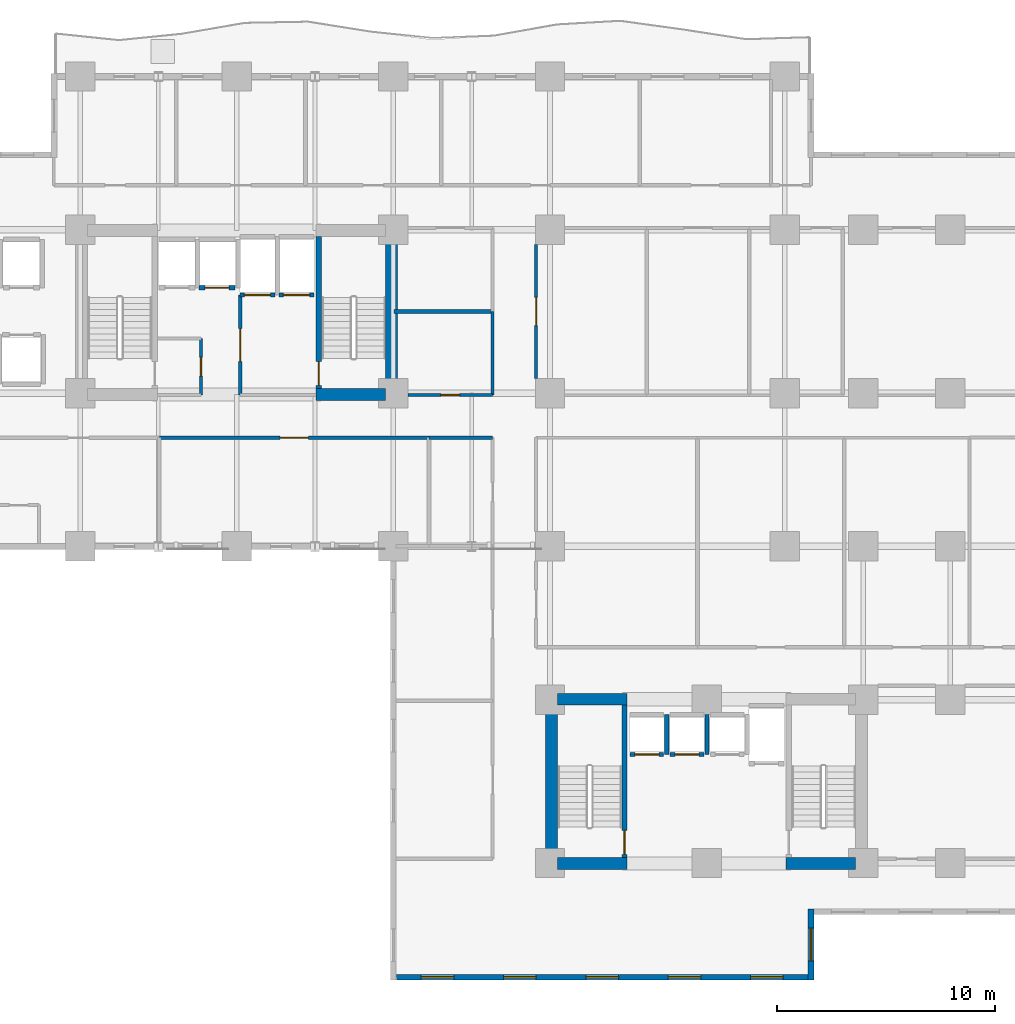
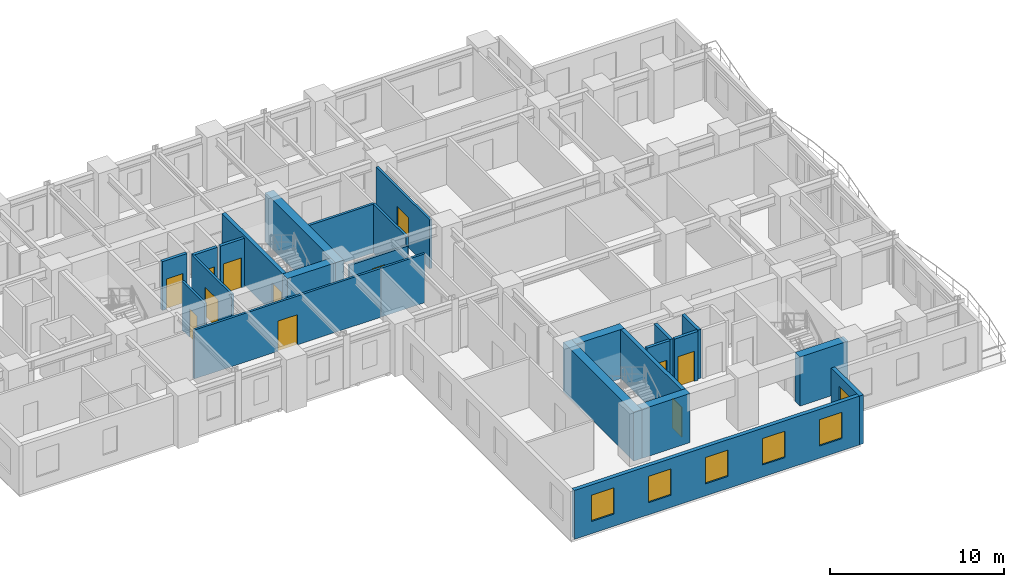
# One storey, part 4 of 11: 25 walls, 12 doors, 6 windows, 18 openings.
"""IFC4 building model written with IfcOpenShell, lengths in metres."""

from ifc_helpers import new_model, si_unit, direction, frame, frame_2d, origin, place, context, subcontext, project, spatial, rectangle, extrude, material, layer, layer_set, type_object, element, fill, save


model = new_model("IFC4")

# Units and contexts
model_context = context("Model", 3, precision=1e-05, world=origin(), true_north=direction((0.0, 1.0)))
body_context = subcontext(model_context, "Body", "Model", "MODEL_VIEW")
ifc_project = project(units=[si_unit("LENGTHUNIT", "METRE"), si_unit("AREAUNIT", "SQUARE_METRE"), si_unit("VOLUMEUNIT", "CUBIC_METRE"), si_unit("PLANEANGLEUNIT", "RADIAN"), si_unit("MASSUNIT", "GRAM", prefix="KILO")], contexts=[model_context])

# Site, building, storey
site_placement = place(None, origin())
site = spatial("IfcSite", under=ifc_project, at=site_placement, CompositionType="ELEMENT")
building_placement = place(site_placement, origin())
building = spatial("IfcBuilding", under=site, at=building_placement, Name="Kaliganga Portal Commons", CompositionType="ELEMENT")
storey_placement = place(building_placement, frame((0.0, 0.0, 51.199951171875)))
storey = spatial("IfcBuildingStorey", under=building, at=storey_placement, Name="L12", CompositionType="ELEMENT", Elevation=51.199951171875)

# Walls
ifc_material_1 = material(Name="Concrete C60/75", Category="concrete")
ifc_layer_1 = layer(ifc_material_1, 0.550048828125)
ifc_layer_set_1 = layer_set([ifc_layer_1], Name="Concrete C60/75")
wall_type_1 = type_object("IfcWallType", Name="WL-CORE-550", PredefinedType="SHEAR", material=ifc_layer_set_1)
wall_1_placement = place(storey_placement, frame((28.72509765625, 28.300048828125, 0.0), z_axis=(0.0, 0.0, 1.0), x_axis=(0.0, 1.0, 0.0)))
element("IfcWall", 1, at=wall_1_placement, inside=storey, type_object=wall_type_1, Name="Core A East Shear Wall L12", PredefinedType="SHEAR", context=body_context, shape_type="SweptSolid", body=[
    extrude(rectangle(XDim=8.099853515625, YDim=0.550048828125, at=frame_2d((4.0498046875, 0.0))), origin(), (0.0, 0.0, 1.0), 3.449951171875),
])
wall_2_placement = place(storey_placement, frame((25.25, 28.574951171875, 0.0), z_axis=(0.0, 0.0, 1.0), x_axis=(1.0, 0.0, 0.0)))
element("IfcWall", 2, at=wall_2_placement, inside=storey, type_object=wall_type_1, Name="Core A S-East Shear Wall L12", PredefinedType="SHEAR", context=body_context, shape_type="SweptSolid", body=[
    extrude(rectangle(XDim=3.199951171875, YDim=0.550048828125, at=frame_2d((1.60009765625, 0.0))), origin(), (0.0, 0.0, 1.0), 3.449951171875),
])
wall_3_placement = place(storey_placement, frame((36.074951171875, 6.75, 0.0), z_axis=(0.0, 0.0, 1.0), x_axis=(0.0, 1.0, 0.0)))
element("IfcWall", 3, at=wall_3_placement, inside=storey, type_object=wall_type_1, Name="Core B West Shear Wall L12", PredefinedType="SHEAR", context=body_context, shape_type="SweptSolid", body=[
    extrude(rectangle(XDim=8.10009765625, YDim=0.550048828125, at=frame_2d((4.050048828125, 0.0))), origin(), (0.0, 0.0, 1.0), 3.449951171875),
])
for number, where, z_axis, x_axis, name in (
    (4, (36.35009765625, 7.02490234375, 0.0), (0.0, 0.0, 1.0), (1.0, 0.0, 0.0), "Core B S-West Shear Wall L12"),
    (5, (46.85009765625, 7.02490234375, 0.0), (0.0, 0.0, 1.0), (1.0, 0.0, 0.0), "Core B S-East Shear Wall L12"),
    (6, (36.35009765625, 14.574951171875, 0.0), (0.0, 0.0, 1.0), (1.0, 0.0, 0.0), "Core B N-West Shear Wall L12"),
):
    element("IfcWall", number, at=place(storey_placement, frame(where, z_axis=z_axis, x_axis=x_axis)), inside=storey, type_object=wall_type_1, Name=name, PredefinedType="SHEAR", context=body_context, shape_type="SweptSolid", body=[
        extrude(rectangle(XDim=3.199951171875, YDim=0.550048828125, at=frame_2d((1.60009765625, 0.0))), origin(), (0.0, 0.0, 1.0), 3.449951171875),
    ])

# Wall, openings, windows
ifc_material_2 = material(Name="Insulated Aluminium-Clad Spandrel Assembly", Category="aluminium")
ifc_layer_2 = layer(ifc_material_2, 0.260009765625)
ifc_layer_set_2 = layer_set([ifc_layer_2], Name="Insulated Aluminium-Clad Spandrel Assembly")
wall_type_2 = type_object("IfcWallType", Name="WL-EXT-SPAND-260", PredefinedType="STANDARD", material=ifc_layer_set_2)
wall_4_placement = place(storey_placement, frame((47.864990234375, 1.800048828125, 0.0), z_axis=(0.0, 0.0, 1.0), x_axis=(-1.0, 0.0, 0.0)))
wall_4 = element("IfcWall", 7, at=wall_4_placement, inside=storey, type_object=wall_type_2, Name="Exterior Envelope Wall L12 P1-E00-S1", PredefinedType="STANDARD", context=body_context, shape_type="SweptSolid", body=[
    extrude(rectangle(XDim=18.929931640625, YDim=0.260009765625, at=frame_2d((9.46484375, 0.0))), origin(), (0.0, 0.0, 1.0), 3.429931640625),
])
opening_1_placement = place(wall_4_placement, frame((1.14306640625, 0.0, 0.85009765625)))
opening_1 = element("IfcOpeningElement", 8, at=opening_1_placement, cuts=wall_4, Name="Opening W-02", PredefinedType="OPENING", context=body_context, shape_type="SweptSolid", body=[
    extrude(rectangle(XDim=1.5, YDim=1.85009765625, at=frame_2d((0.75, 0.925048828125))), frame((0.0, 0.14013671875, 0.0), z_axis=(0.0, -1.0, 0.0), x_axis=(1.0, 0.0, 0.0)), (0.0, 0.0, 1.0), 0.280029296875),
])
opening_2_placement = place(wall_4_placement, frame((4.928955078125, 0.0, 0.85009765625)))
opening_2 = element("IfcOpeningElement", 9, at=opening_2_placement, cuts=wall_4, Name="Opening W-02", PredefinedType="OPENING", context=body_context, shape_type="SweptSolid", body=[
    extrude(rectangle(XDim=1.5, YDim=1.85009765625, at=frame_2d((0.75, 0.925048828125))), frame((0.0, 0.14013671875, 0.0), z_axis=(0.0, -1.0, 0.0), x_axis=(1.0, 0.0, 0.0)), (0.0, 0.0, 1.0), 0.280029296875),
])
opening_3_placement = place(wall_4_placement, frame((8.715087890625, 0.0, 0.85009765625)))
opening_3 = element("IfcOpeningElement", 10, at=opening_3_placement, cuts=wall_4, Name="Opening W-02", PredefinedType="OPENING", context=body_context, shape_type="SweptSolid", body=[
    extrude(rectangle(XDim=1.5, YDim=1.85009765625, at=frame_2d((0.75, 0.925048828125))), frame((0.0, 0.14013671875, 0.0), z_axis=(0.0, -1.0, 0.0), x_axis=(1.0, 0.0, 0.0)), (0.0, 0.0, 1.0), 0.280029296875),
])
opening_4_placement = place(wall_4_placement, frame((12.5009765625, 0.0, 0.85009765625)))
opening_4 = element("IfcOpeningElement", 11, at=opening_4_placement, cuts=wall_4, Name="Opening W-02", PredefinedType="OPENING", context=body_context, shape_type="SweptSolid", body=[
    extrude(rectangle(XDim=1.5, YDim=1.85009765625, at=frame_2d((0.75, 0.925048828125))), frame((0.0, 0.14013671875, 0.0), z_axis=(0.0, -1.0, 0.0), x_axis=(1.0, 0.0, 0.0)), (0.0, 0.0, 1.0), 0.280029296875),
])
opening_5_placement = place(wall_4_placement, frame((16.287109375, 0.0, 0.85009765625)))
opening_5 = element("IfcOpeningElement", 12, at=opening_5_placement, cuts=wall_4, Name="Opening W-02", PredefinedType="OPENING", context=body_context, shape_type="SweptSolid", body=[
    extrude(rectangle(XDim=1.5, YDim=1.85009765625, at=frame_2d((0.75, 0.925048828125))), frame((0.0, 0.14013671875, 0.0), z_axis=(0.0, -1.0, 0.0), x_axis=(1.0, 0.0, 0.0)), (0.0, 0.0, 1.0), 0.280029296875),
])
ifc_material_3 = material(Name="Thermally Broken Aluminium and Low-E Double Glazing", Category="aluminium")
window_type = type_object("IfcWindowType", Name="WIN-STD-1500", PartitioningType="DOUBLE_PANEL_VERTICAL", PredefinedType="WINDOW", material=ifc_material_3)
window_1_placement = place(opening_1_placement, origin())
window_1 = element("IfcWindow", 13, at=window_1_placement, inside=storey, type_object=window_type, Name="Facade Window L12-P1E00S1-00", OverallHeight=1.85009765625, OverallWidth=1.5, PartitioningType="SINGLE_PANEL", PredefinedType="WINDOW", context=body_context, shape_type="SweptSolid", body=[
    extrude(rectangle(XDim=1.5, YDim=1.85009765625, at=frame_2d((0.75, 0.925048828125))), frame((0.0, 0.030029296875, 0.0), z_axis=(0.0, -1.0, 0.0), x_axis=(1.0, 0.0, 0.0)), (0.0, 0.0, 1.0), 0.06005859375),
])
fill(opening_1, window_1)
window_2_placement = place(opening_2_placement, origin())
window_2 = element("IfcWindow", 14, at=window_2_placement, inside=storey, type_object=window_type, Name="Facade Window L12-P1E00S1-01", OverallHeight=1.85009765625, OverallWidth=1.5, PartitioningType="SINGLE_PANEL", PredefinedType="WINDOW", context=body_context, shape_type="SweptSolid", body=[
    extrude(rectangle(XDim=1.5, YDim=1.85009765625, at=frame_2d((0.75, 0.925048828125))), frame((0.0, 0.030029296875, 0.0), z_axis=(0.0, -1.0, 0.0), x_axis=(1.0, 0.0, 0.0)), (0.0, 0.0, 1.0), 0.06005859375),
])
fill(opening_2, window_2)
window_3_placement = place(opening_3_placement, origin())
window_3 = element("IfcWindow", 15, at=window_3_placement, inside=storey, type_object=window_type, Name="Facade Window L12-P1E00S1-02", OverallHeight=1.85009765625, OverallWidth=1.5, PartitioningType="SINGLE_PANEL", PredefinedType="WINDOW", context=body_context, shape_type="SweptSolid", body=[
    extrude(rectangle(XDim=1.5, YDim=1.85009765625, at=frame_2d((0.75, 0.925048828125))), frame((0.0, 0.030029296875, 0.0), z_axis=(0.0, -1.0, 0.0), x_axis=(1.0, 0.0, 0.0)), (0.0, 0.0, 1.0), 0.06005859375),
])
fill(opening_3, window_3)
window_4_placement = place(opening_4_placement, origin())
window_4 = element("IfcWindow", 16, at=window_4_placement, inside=storey, type_object=window_type, Name="Facade Window L12-P1E00S1-03", OverallHeight=1.85009765625, OverallWidth=1.5, PartitioningType="SINGLE_PANEL", PredefinedType="WINDOW", context=body_context, shape_type="SweptSolid", body=[
    extrude(rectangle(XDim=1.5, YDim=1.85009765625, at=frame_2d((0.75, 0.925048828125))), frame((0.0, 0.030029296875, 0.0), z_axis=(0.0, -1.0, 0.0), x_axis=(1.0, 0.0, 0.0)), (0.0, 0.0, 1.0), 0.06005859375),
])
fill(opening_4, window_4)
window_5_placement = place(opening_5_placement, origin())
window_5 = element("IfcWindow", 17, at=window_5_placement, inside=storey, type_object=window_type, Name="Facade Window L12-P1E00S1-04", OverallHeight=1.85009765625, OverallWidth=1.5, PartitioningType="SINGLE_PANEL", PredefinedType="WINDOW", context=body_context, shape_type="SweptSolid", body=[
    extrude(rectangle(XDim=1.5, YDim=1.85009765625, at=frame_2d((0.75, 0.925048828125))), frame((0.0, 0.030029296875, 0.0), z_axis=(0.0, -1.0, 0.0), x_axis=(1.0, 0.0, 0.0)), (0.0, 0.0, 1.0), 0.06005859375),
])
fill(opening_5, window_5)

# Wall, opening, window
wall_5_placement = place(storey_placement, frame((48.0, 4.929931640625, 0.0), z_axis=(0.0, 0.0, 1.0), x_axis=(0.0, -1.0, 0.0)))
wall_5 = element("IfcWall", 18, at=wall_5_placement, inside=storey, type_object=wall_type_2, Name="Exterior Envelope Wall L12 P1-E01-S1", PredefinedType="STANDARD", context=body_context, shape_type="SweptSolid", body=[
    extrude(rectangle(XDim=3.260009765625, YDim=0.260009765625, at=frame_2d((1.6298828125, 0.0))), origin(), (0.0, 0.0, 1.0), 3.429931640625),
])
opening_6_placement = place(wall_5_placement, frame((0.8798828125, 0.0, 0.85009765625)))
opening_6 = element("IfcOpeningElement", 19, at=opening_6_placement, cuts=wall_5, Name="Opening W-02", PredefinedType="OPENING", context=body_context, shape_type="SweptSolid", body=[
    extrude(rectangle(XDim=1.5, YDim=1.85009765625, at=frame_2d((0.75, 0.925048828125))), frame((0.0, 0.14013671875, 0.0), z_axis=(0.0, -1.0, 0.0), x_axis=(1.0, 0.0, 0.0)), (0.0, 0.0, 1.0), 0.280029296875),
])
window_6_placement = place(opening_6_placement, origin())
window_6 = element("IfcWindow", 20, at=window_6_placement, inside=storey, type_object=window_type, Name="Facade Window L12-P1E01S1-00", OverallHeight=1.85009765625, OverallWidth=1.5, PartitioningType="SINGLE_PANEL", PredefinedType="WINDOW", context=body_context, shape_type="SweptSolid", body=[
    extrude(rectangle(XDim=1.5, YDim=1.85009765625, at=frame_2d((0.75, 0.925048828125))), frame((0.0, 0.030029296875, 0.0), z_axis=(0.0, -1.0, 0.0), x_axis=(1.0, 0.0, 0.0)), (0.0, 0.0, 1.0), 0.06005859375),
])
fill(opening_6, window_6)

# Wall, opening, door
ifc_material_4 = material(Name="Fire-Rated Gypsum Board on Steel Stud", Category="steel")
ifc_layer_3 = layer(ifc_material_4, 0.14990234375)
ifc_layer_set_3 = layer_set([ifc_layer_3], Name="Fire-Rated Gypsum Board on Steel Stud")
wall_type_3 = type_object("IfcWallType", Name="WL-PART-CORR-150", PredefinedType="PARTITIONING", material=ifc_layer_set_3)
wall_6_placement = place(storey_placement, frame((18.0400390625, 26.60009765625, 0.0), z_axis=(0.0, 0.0, 1.0), x_axis=(1.0, 0.0, 0.0)))
wall_6 = element("IfcWall", 21, at=wall_6_placement, inside=storey, type_object=wall_type_3, Name="Interior Partition L12-006", PredefinedType="PARTITIONING", context=body_context, shape_type="SweptSolid", body=[
    extrude(rectangle(XDim=12.39990234375, YDim=0.14990234375, at=frame_2d((6.199951171875, 0.0))), origin(), (0.0, 0.0, 1.0), 3.429931640625),
])
opening_7_placement = place(wall_6_placement, frame((5.550048828125, 0.0, 0.0)))
opening_7 = element("IfcOpeningElement", 22, at=opening_7_placement, cuts=wall_6, Name="Opening RD-03", PredefinedType="OPENING", context=body_context, shape_type="SweptSolid", body=[
    extrude(rectangle(XDim=1.300048828125, YDim=2.1201171875, at=frame_2d((0.64990234375, 1.06005859375))), frame((0.0, 0.0849609375, 0.0), z_axis=(0.0, -1.0, 0.0), x_axis=(1.0, 0.0, 0.0)), (0.0, 0.0, 1.0), 0.169921875),
])
ifc_material_5 = material(Name="Glazed Timber Seminar Vision Door", Category="wood")
door_type_1 = type_object("IfcDoorType", Name="DR-STUDY-1300", OperationType="DOUBLE_DOOR_SINGLE_SWING", PredefinedType="DOOR", material=ifc_material_5)
door_1_placement = place(opening_7_placement, origin())
door_1 = element("IfcDoor", 23, at=door_1_placement, inside=storey, type_object=door_type_1, Name="Interior Door L12-AS03", OperationType="DOUBLE_DOOR_SINGLE_SWING", OverallHeight=2.1201171875, OverallWidth=1.300048828125, PredefinedType="DOOR", context=body_context, shape_type="SweptSolid", body=[
    extrude(rectangle(XDim=1.300048828125, YDim=2.1201171875, at=frame_2d((0.64990234375, 1.06005859375))), frame((0.0, 0.02490234375, 0.0), z_axis=(0.0, -1.0, 0.0), x_axis=(1.0, 0.0, 0.0)), (0.0, 0.0, 1.0), 0.050048828125),
])
fill(opening_7, door_1)

wall_7_placement = place(storey_placement, frame((35.360107421875, 29.324951171875, 0.0), z_axis=(0.0, 0.0, 1.0), x_axis=(0.0, 1.0, 0.0)))
wall_7 = element("IfcWall", 24, at=wall_7_placement, inside=storey, type_object=wall_type_3, Name="Interior Partition L12-012", PredefinedType="PARTITIONING", context=body_context, shape_type="SweptSolid", body=[
    extrude(rectangle(XDim=6.150146484375, YDim=0.14990234375, at=frame_2d((3.0751953125, 0.0))), origin(), (0.0, 0.0, 1.0), 3.429931640625),
])
opening_8_placement = place(wall_7_placement, frame((2.425048828125, 0.0, 0.0)))
opening_8 = element("IfcOpeningElement", 25, at=opening_8_placement, cuts=wall_7, Name="Opening RD-03", PredefinedType="OPENING", context=body_context, shape_type="SweptSolid", body=[
    extrude(rectangle(XDim=1.300048828125, YDim=2.1201171875, at=frame_2d((0.64990234375, 1.06005859375))), frame((0.0, 0.0849609375, 0.0), z_axis=(0.0, -1.0, 0.0), x_axis=(1.0, 0.0, 0.0)), (0.0, 0.0, 1.0), 0.169921875),
])
door_2_placement = place(opening_8_placement, origin())
door_2 = element("IfcDoor", 26, at=door_2_placement, inside=storey, type_object=door_type_1, Name="Interior Door L12-BK01", OperationType="DOUBLE_DOOR_SINGLE_SWING", OverallHeight=2.1201171875, OverallWidth=1.300048828125, PredefinedType="DOOR", context=body_context, shape_type="SweptSolid", body=[
    extrude(rectangle(XDim=1.300048828125, YDim=2.1201171875, at=frame_2d((0.64990234375, 1.06005859375))), frame((0.0, 0.02490234375, 0.0), z_axis=(0.0, -1.0, 0.0), x_axis=(1.0, 0.0, 0.0)), (0.0, 0.0, 1.0), 0.050048828125),
])
fill(opening_8, door_2)

wall_8_placement = place(storey_placement, frame((29.47509765625, 28.56005859375, 0.0), z_axis=(0.0, 0.0, 1.0), x_axis=(1.0, 0.0, 0.0)))
wall_8 = element("IfcWall", 27, at=wall_8_placement, inside=storey, type_object=wall_type_3, Name="Interior Partition L12-034", PredefinedType="PARTITIONING", context=body_context, shape_type="SweptSolid", body=[
    extrude(rectangle(XDim=3.885009765625, YDim=0.14990234375, at=frame_2d((1.9423828125, 0.0))), origin(), (0.0, 0.0, 1.0), 2.780029296875),
])
opening_9_placement = place(wall_8_placement, frame((1.512451171875, 0.0, 0.0)))
opening_9 = element("IfcOpeningElement", 28, at=opening_9_placement, cuts=wall_8, Name="Opening WD-02", PredefinedType="OPENING", context=body_context, shape_type="SweptSolid", body=[
    extrude(rectangle(XDim=0.860107421875, YDim=2.02001953125, at=frame_2d((0.43017578125, 1.010009765625))), frame((0.0, 0.0849609375, 0.0), z_axis=(0.0, -1.0, 0.0), x_axis=(1.0, 0.0, 0.0)), (0.0, 0.0, 1.0), 0.169921875),
])
ifc_material_6 = material(Name="Fire-Rated Utility Closet Door", Category="wood")
door_type_2 = type_object("IfcDoorType", Name="DR-STORE-800", OperationType="NOTDEFINED", PredefinedType="DOOR", material=ifc_material_6)
door_3_placement = place(opening_9_placement, origin())
door_3 = element("IfcDoor", 29, at=door_3_placement, inside=storey, type_object=door_type_2, Name="Interior Door L12-CSRV_A1", OperationType="SINGLE_SWING_LEFT", OverallHeight=2.02001953125, OverallWidth=0.860107421875, PredefinedType="DOOR", context=body_context, shape_type="SweptSolid", body=[
    extrude(rectangle(XDim=0.860107421875, YDim=2.02001953125, at=frame_2d((0.43017578125, 1.010009765625))), frame((0.0, 0.02490234375, 0.0), z_axis=(0.0, -1.0, 0.0), x_axis=(1.0, 0.0, 0.0)), (0.0, 0.0, 1.0), 0.050048828125),
])
fill(opening_9, door_3)

# Walls
wall_9_placement = place(storey_placement, frame((33.360107421875, 28.56005859375, 0.0), z_axis=(0.0, 0.0, 1.0), x_axis=(0.0, 1.0, 0.0)))
element("IfcWall", 30, at=wall_9_placement, inside=storey, type_object=wall_type_3, Name="Interior Partition L12-041", PredefinedType="PARTITIONING", context=body_context, shape_type="SweptSolid", body=[
    extrude(rectangle(XDim=3.83984375, YDim=0.14990234375, at=frame_2d((1.919921875, 0.0))), origin(), (0.0, 0.0, 1.0), 3.429931640625),
])
wall_10_placement = place(storey_placement, frame((30.43994140625, 26.60009765625, 0.0), z_axis=(0.0, 0.0, 1.0), x_axis=(1.0, 0.0, 0.0)))
element("IfcWall", 31, at=wall_10_placement, inside=storey, type_object=wall_type_3, Name="Interior Partition L12-042", PredefinedType="PARTITIONING", context=body_context, shape_type="SweptSolid", body=[
    extrude(rectangle(XDim=2.920166015625, YDim=0.14990234375, at=frame_2d((1.4599609375, 0.0))), origin(), (0.0, 0.0, 1.0), 3.429931640625),
])

# Wall, opening, door
wall_11_placement = place(storey_placement, frame((19.9599609375, 28.56005859375, 0.0), z_axis=(0.0, 0.0, 1.0), x_axis=(0.0, 1.0, 0.0)))
wall_11 = element("IfcWall", 32, at=wall_11_placement, inside=storey, type_object=wall_type_3, Name="Interior Partition L12-043", PredefinedType="PARTITIONING", context=body_context, shape_type="SweptSolid", body=[
    extrude(rectangle(XDim=2.599853515625, YDim=0.14990234375, at=frame_2d((1.2998046875, 0.0))), origin(), (0.0, 0.0, 1.0), 3.429931640625),
])
opening_10_placement = place(wall_11_placement, frame((0.8701171875, 0.0, 0.0)))
opening_10 = element("IfcOpeningElement", 33, at=opening_10_placement, cuts=wall_11, Name="Opening WD-02", PredefinedType="OPENING", context=body_context, shape_type="SweptSolid", body=[
    extrude(rectangle(XDim=0.860107421875, YDim=2.02001953125, at=frame_2d((0.43017578125, 1.010009765625))), frame((0.0, 0.0849609375, 0.0), z_axis=(0.0, -1.0, 0.0), x_axis=(1.0, 0.0, 0.0)), (0.0, 0.0, 1.0), 0.169921875),
])
door_4_placement = place(opening_10_placement, origin())
door_4 = element("IfcDoor", 34, at=door_4_placement, inside=storey, type_object=door_type_2, Name="Interior Door L12-CIN_A1", OperationType="SINGLE_SWING_RIGHT", OverallHeight=2.02001953125, OverallWidth=0.860107421875, PredefinedType="DOOR", context=body_context, shape_type="SweptSolid", body=[
    extrude(rectangle(XDim=0.860107421875, YDim=2.02001953125, at=frame_2d((0.43017578125, 1.010009765625))), frame((0.0, 0.02490234375, 0.0), z_axis=(0.0, -1.0, 0.0), x_axis=(1.0, 0.0, 0.0)), (0.0, 0.0, 1.0), 0.050048828125),
])
fill(opening_10, door_4)

wall_12_placement = place(storey_placement, frame((21.760009765625, 28.56005859375, 0.0), z_axis=(0.0, 0.0, 1.0), x_axis=(0.0, 1.0, 0.0)))
wall_12 = element("IfcWall", 35, at=wall_12_placement, inside=storey, type_object=wall_type_3, Name="Interior Partition L12-073", PredefinedType="PARTITIONING", context=body_context, shape_type="SweptSolid", body=[
    extrude(rectangle(XDim=4.599853515625, YDim=0.14990234375, at=frame_2d((2.2998046875, 0.0))), origin(), (0.0, 0.0, 1.0), 3.429931640625),
])
opening_11_placement = place(wall_12_placement, frame((1.550048828125, 0.0, 0.0)))
opening_11 = element("IfcOpeningElement", 36, at=opening_11_placement, cuts=wall_12, Name="Opening FD-01", PredefinedType="OPENING", context=body_context, shape_type="SweptSolid", body=[
    extrude(rectangle(XDim=1.5, YDim=2.10009765625, at=frame_2d((0.75, 1.050048828125))), frame((0.0, 0.0849609375, 0.0), z_axis=(0.0, -1.0, 0.0), x_axis=(1.0, 0.0, 0.0)), (0.0, 0.0, 1.0), 0.169921875),
])
ifc_material_7 = material(Name="Fire-Rated Hardwood and Georgian-Wired Vision Panel", Category="wood")
door_type_3 = type_object("IfcDoorType", Name="DR-LOBBY-1500", OperationType="DOUBLE_DOOR_SINGLE_SWING", PredefinedType="DOOR", material=ifc_material_7)
door_5_placement = place(opening_11_placement, origin())
door_5 = element("IfcDoor", 37, at=door_5_placement, inside=storey, type_object=door_type_3, Name="Interior Door L12-FFLOB_A", OperationType="DOUBLE_DOOR_SINGLE_SWING", OverallHeight=2.10009765625, OverallWidth=1.5, PredefinedType="DOOR", context=body_context, shape_type="SweptSolid", body=[
    extrude(rectangle(XDim=1.5, YDim=2.10009765625, at=frame_2d((0.75, 1.050048828125))), frame((0.0, 0.02490234375, 0.0), z_axis=(0.0, -1.0, 0.0), x_axis=(1.0, 0.0, 0.0)), (0.0, 0.0, 1.0), 0.050048828125),
])
fill(opening_11, door_5)

# Wall
ifc_material_8 = material(Name="Twin-Stud Acoustic Gypsum Partition", Category="gypsum")
ifc_layer_4 = layer(ifc_material_8, 0.1650390625)
ifc_layer_set_4 = layer_set([ifc_layer_4], Name="Twin-Stud Acoustic Gypsum Partition")
wall_type_4 = type_object("IfcWallType", Name="WL-PART-UNIT-165", PredefinedType="PARTITIONING", material=ifc_layer_set_4)
wall_13_placement = place(storey_placement, frame((28.840087890625, 32.39990234375, 0.0), z_axis=(0.0, 0.0, 1.0), x_axis=(1.0, 0.0, 0.0)))
element("IfcWall", 38, at=wall_13_placement, inside=storey, type_object=wall_type_4, Name="Interior Partition L12-075", PredefinedType="PARTITIONING", context=body_context, shape_type="SweptSolid", body=[
    extrude(rectangle(XDim=4.52001953125, YDim=0.1650390625, at=frame_2d((2.260009765625, 0.0))), origin(), (0.0, 0.0, 1.0), 3.429931640625),
])

# Wall, opening, door
ifc_material_9 = material(Name="Fire-Rated Shaftwall Masonry Assembly", Category="masonry")
ifc_layer_5 = layer(ifc_material_9, 0.199951171875)
ifc_layer_set_5 = layer_set([ifc_layer_5], Name="Fire-Rated Shaftwall Masonry Assembly")
wall_type_5 = type_object("IfcWallType", Name="WL-SHAFT-200", PredefinedType="PARTITIONING", material=ifc_layer_set_5)
wall_14_placement = place(storey_placement, frame((19.875, 33.485107421875, 0.0), z_axis=(0.0, 0.0, 1.0), x_axis=(1.0, 0.0, 0.0)))
wall_14 = element("IfcWall", 39, at=wall_14_placement, inside=storey, type_object=wall_type_5, Name="Lift PL-A2 Hoistway Shaft Wall L12-S", PredefinedType="PARTITIONING", context=body_context, shape_type="SweptSolid", body=[
    extrude(rectangle(XDim=1.64990234375, YDim=0.199951171875, at=frame_2d((0.824951171875, 0.0))), origin(), (0.0, 0.0, 1.0), 3.429931640625),
])
opening_12_placement = place(wall_14_placement, frame((0.27490234375, 0.0, 0.0)))
opening_12 = element("IfcOpeningElement", 40, at=opening_12_placement, cuts=wall_14, Name="Opening LD-01", PredefinedType="OPENING", context=body_context, shape_type="SweptSolid", body=[
    extrude(rectangle(XDim=1.10009765625, YDim=2.1201171875, at=frame_2d((0.550048828125, 1.06005859375))), frame((0.0, 0.10986328125, 0.0), z_axis=(0.0, -1.0, 0.0), x_axis=(1.0, 0.0, 0.0)), (0.0, 0.0, 1.0), 0.219970703125),
])
ifc_material_10 = material(Name="Brushed Stainless Steel 316 Lift Landing Door", Category="steel")
door_type_4 = type_object("IfcDoorType", Name="DR-LIFT-1100", OperationType="SLIDING_TO_LEFT", PredefinedType="DOOR", material=ifc_material_10)
door_6_placement = place(opening_12_placement, origin())
door_6 = element("IfcDoor", 41, at=door_6_placement, inside=storey, type_object=door_type_4, Name="Lift PL-A2 Sliding Landing Door L12", OperationType="SLIDING_TO_LEFT", OverallHeight=2.1201171875, OverallWidth=1.10009765625, PredefinedType="DOOR", context=body_context, shape_type="SweptSolid", body=[
    extrude(rectangle(XDim=1.10009765625, YDim=2.1201171875, at=frame_2d((0.550048828125, 1.06005859375))), frame((0.0, 0.02490234375, 0.0), z_axis=(0.0, -1.0, 0.0), x_axis=(1.0, 0.0, 0.0)), (0.0, 0.0, 1.0), 0.050048828125),
])
fill(opening_12, door_6)

wall_15_placement = place(storey_placement, frame((21.75, 33.159912109375, 0.0), z_axis=(0.0, 0.0, 1.0), x_axis=(1.0, 0.0, 0.0)))
wall_15 = element("IfcWall", 42, at=wall_15_placement, inside=storey, type_object=wall_type_5, Name="Lift FFL-1 Hoistway Shaft Wall L12-S", PredefinedType="PARTITIONING", context=body_context, shape_type="SweptSolid", body=[
    extrude(rectangle(XDim=1.60009765625, YDim=0.199951171875, at=frame_2d((0.800048828125, 0.0))), origin(), (0.0, 0.0, 1.0), 3.429931640625),
])
opening_13_placement = place(wall_15_placement, frame((0.199951171875, 0.0, 0.0)))
opening_13 = element("IfcOpeningElement", 43, at=opening_13_placement, cuts=wall_15, Name="Opening LD-02", PredefinedType="OPENING", context=body_context, shape_type="SweptSolid", body=[
    extrude(rectangle(XDim=1.199951171875, YDim=2.1201171875, at=frame_2d((0.60009765625, 1.06005859375))), frame((0.0, 0.10986328125, 0.0), z_axis=(0.0, -1.0, 0.0), x_axis=(1.0, 0.0, 0.0)), (0.0, 0.0, 1.0), 0.219970703125),
])
ifc_material_11 = material(Name="Brushed Stainless Steel 316 Stretcher Lift Landing Door", Category="steel")
door_type_5 = type_object("IfcDoorType", Name="DR-LIFT-1200", OperationType="SLIDING_TO_RIGHT", PredefinedType="DOOR", material=ifc_material_11)
door_7_placement = place(opening_13_placement, origin())
door_7 = element("IfcDoor", 44, at=door_7_placement, inside=storey, type_object=door_type_5, Name="Lift FFL-1 Sliding Landing Door L12", OperationType="SLIDING_TO_RIGHT", OverallHeight=2.1201171875, OverallWidth=1.199951171875, PredefinedType="DOOR", context=body_context, shape_type="SweptSolid", body=[
    extrude(rectangle(XDim=1.199951171875, YDim=2.1201171875, at=frame_2d((0.60009765625, 1.06005859375))), frame((0.0, 0.02490234375, 0.0), z_axis=(0.0, -1.0, 0.0), x_axis=(1.0, 0.0, 0.0)), (0.0, 0.0, 1.0), 0.050048828125),
])
fill(opening_13, door_7)

wall_16_placement = place(storey_placement, frame((23.550048828125, 33.159912109375, 0.0), z_axis=(0.0, 0.0, 1.0), x_axis=(1.0, 0.0, 0.0)))
wall_16 = element("IfcWall", 45, at=wall_16_placement, inside=storey, type_object=wall_type_5, Name="Lift FFL-2 Hoistway Shaft Wall L12-S", PredefinedType="PARTITIONING", context=body_context, shape_type="SweptSolid", body=[
    extrude(rectangle(XDim=1.599853515625, YDim=0.199951171875, at=frame_2d((0.7998046875, 0.0))), origin(), (0.0, 0.0, 1.0), 3.429931640625),
])
opening_14_placement = place(wall_16_placement, frame((0.199951171875, 0.0, 0.0)))
opening_14 = element("IfcOpeningElement", 46, at=opening_14_placement, cuts=wall_16, Name="Opening LD-02", PredefinedType="OPENING", context=body_context, shape_type="SweptSolid", body=[
    extrude(rectangle(XDim=1.199951171875, YDim=2.1201171875, at=frame_2d((0.60009765625, 1.06005859375))), frame((0.0, 0.10986328125, 0.0), z_axis=(0.0, -1.0, 0.0), x_axis=(1.0, 0.0, 0.0)), (0.0, 0.0, 1.0), 0.219970703125),
])
door_8_placement = place(opening_14_placement, origin())
door_8 = element("IfcDoor", 47, at=door_8_placement, inside=storey, type_object=door_type_5, Name="Lift FFL-2 Sliding Landing Door L12", OperationType="SLIDING_TO_RIGHT", OverallHeight=2.1201171875, OverallWidth=1.199951171875, PredefinedType="DOOR", context=body_context, shape_type="SweptSolid", body=[
    extrude(rectangle(XDim=1.199951171875, YDim=2.1201171875, at=frame_2d((0.60009765625, 1.06005859375))), frame((0.0, 0.02490234375, 0.0), z_axis=(0.0, -1.0, 0.0), x_axis=(1.0, 0.0, 0.0)), (0.0, 0.0, 1.0), 0.050048828125),
])
fill(opening_14, door_8)

wall_17_placement = place(storey_placement, frame((39.675048828125, 12.034912109375, 0.0), z_axis=(0.0, 0.0, 1.0), x_axis=(1.0, 0.0, 0.0)))
wall_17 = element("IfcWall", 48, at=wall_17_placement, inside=storey, type_object=wall_type_5, Name="Lift PL-B1 Hoistway Shaft Wall L12-S", PredefinedType="PARTITIONING", context=body_context, shape_type="SweptSolid", body=[
    extrude(rectangle(XDim=1.550048828125, YDim=0.199951171875, at=frame_2d((0.77490234375, 0.0))), origin(), (0.0, 0.0, 1.0), 3.429931640625),
])
opening_15_placement = place(wall_17_placement, frame((0.22509765625, 0.0, 0.0)))
opening_15 = element("IfcOpeningElement", 49, at=opening_15_placement, cuts=wall_17, Name="Opening LD-01", PredefinedType="OPENING", context=body_context, shape_type="SweptSolid", body=[
    extrude(rectangle(XDim=1.10009765625, YDim=2.1201171875, at=frame_2d((0.550048828125, 1.06005859375))), frame((0.0, 0.10986328125, 0.0), z_axis=(0.0, -1.0, 0.0), x_axis=(1.0, 0.0, 0.0)), (0.0, 0.0, 1.0), 0.219970703125),
])
door_9_placement = place(opening_15_placement, origin())
door_9 = element("IfcDoor", 50, at=door_9_placement, inside=storey, type_object=door_type_4, Name="Lift PL-B1 Sliding Landing Door L12", OperationType="SLIDING_TO_LEFT", OverallHeight=2.1201171875, OverallWidth=1.10009765625, PredefinedType="DOOR", context=body_context, shape_type="SweptSolid", body=[
    extrude(rectangle(XDim=1.10009765625, YDim=2.1201171875, at=frame_2d((0.550048828125, 1.06005859375))), frame((0.0, 0.02490234375, 0.0), z_axis=(0.0, -1.0, 0.0), x_axis=(1.0, 0.0, 0.0)), (0.0, 0.0, 1.0), 0.050048828125),
])
fill(opening_15, door_9)

# Wall
wall_18_placement = place(storey_placement, frame((41.364990234375, 12.034912109375, 0.0), z_axis=(0.0, 0.0, 1.0), x_axis=(0.0, 1.0, 0.0)))
element("IfcWall", 51, at=wall_18_placement, inside=storey, type_object=wall_type_5, Name="Lift PL-B1 Hoistway Shaft Wall L12-E", PredefinedType="PARTITIONING", context=body_context, shape_type="SweptSolid", body=[
    extrude(rectangle(XDim=1.830078125, YDim=0.199951171875, at=frame_2d((0.9150390625, 0.0))), origin(), (0.0, 0.0, 1.0), 3.429931640625),
])

# Wall, opening, door
wall_19_placement = place(storey_placement, frame((41.52490234375, 12.034912109375, 0.0), z_axis=(0.0, 0.0, 1.0), x_axis=(1.0, 0.0, 0.0)))
wall_19 = element("IfcWall", 52, at=wall_19_placement, inside=storey, type_object=wall_type_5, Name="Lift PL-B2 Hoistway Shaft Wall L12-S", PredefinedType="PARTITIONING", context=body_context, shape_type="SweptSolid", body=[
    extrude(rectangle(XDim=1.550048828125, YDim=0.199951171875, at=frame_2d((0.77490234375, 0.0))), origin(), (0.0, 0.0, 1.0), 3.429931640625),
])
opening_16_placement = place(wall_19_placement, frame((0.22509765625, 0.0, 0.0)))
opening_16 = element("IfcOpeningElement", 53, at=opening_16_placement, cuts=wall_19, Name="Opening LD-01", PredefinedType="OPENING", context=body_context, shape_type="SweptSolid", body=[
    extrude(rectangle(XDim=1.10009765625, YDim=2.1201171875, at=frame_2d((0.550048828125, 1.06005859375))), frame((0.0, 0.10986328125, 0.0), z_axis=(0.0, -1.0, 0.0), x_axis=(1.0, 0.0, 0.0)), (0.0, 0.0, 1.0), 0.219970703125),
])
door_10_placement = place(opening_16_placement, origin())
door_10 = element("IfcDoor", 54, at=door_10_placement, inside=storey, type_object=door_type_4, Name="Lift PL-B2 Sliding Landing Door L12", OperationType="SLIDING_TO_LEFT", OverallHeight=2.1201171875, OverallWidth=1.10009765625, PredefinedType="DOOR", context=body_context, shape_type="SweptSolid", body=[
    extrude(rectangle(XDim=1.10009765625, YDim=2.1201171875, at=frame_2d((0.550048828125, 1.06005859375))), frame((0.0, 0.02490234375, 0.0), z_axis=(0.0, -1.0, 0.0), x_axis=(1.0, 0.0, 0.0)), (0.0, 0.0, 1.0), 0.050048828125),
])
fill(opening_16, door_10)

# Wall
wall_20_placement = place(storey_placement, frame((43.215087890625, 12.034912109375, 0.0), z_axis=(0.0, 0.0, 1.0), x_axis=(0.0, 1.0, 0.0)))
element("IfcWall", 55, at=wall_20_placement, inside=storey, type_object=wall_type_5, Name="Lift PL-B2 Hoistway Shaft Wall L12-E", PredefinedType="PARTITIONING", context=body_context, shape_type="SweptSolid", body=[
    extrude(rectangle(XDim=1.830078125, YDim=0.199951171875, at=frame_2d((0.9150390625, 0.0))), origin(), (0.0, 0.0, 1.0), 3.429931640625),
])

# Wall, opening, door
ifc_material_12 = material(Name="Concrete C50/60", Category="concrete")
ifc_layer_6 = layer(ifc_material_12, 0.25)
ifc_layer_set_6 = layer_set([ifc_layer_6], Name="Concrete C50/60")
wall_type_6 = type_object("IfcWallType", Name="WL-STAIR-250", PredefinedType="SHEAR", material=ifc_layer_set_6)
wall_21_placement = place(storey_placement, frame((25.375, 28.85009765625, 0.0), z_axis=(0.0, 0.0, 1.0), x_axis=(0.0, 1.0, 0.0)))
wall_21 = element("IfcWall", 56, at=wall_21_placement, inside=storey, type_object=wall_type_6, Name="Stair A2 Enclosure Shear Wall L12", PredefinedType="SHEAR", context=body_context, shape_type="SweptSolid", body=[
    extrude(rectangle(XDim=7.0, YDim=0.25, at=frame_2d((3.5, 0.0))), origin(), (0.0, 0.0, 1.0), 3.449951171875),
])
opening_17_placement = place(wall_21_placement, frame((0.14990234375, 0.0, 0.0)))
opening_17 = element("IfcOpeningElement", 57, at=opening_17_placement, cuts=wall_21, Name="Opening SD-01", PredefinedType="OPENING", context=body_context, shape_type="SweptSolid", body=[
    extrude(rectangle(XDim=1.10009765625, YDim=2.080078125, at=frame_2d((0.550048828125, 1.0400390625))), frame((0.0, 0.135009765625, 0.0), z_axis=(0.0, -1.0, 0.0), x_axis=(1.0, 0.0, 0.0)), (0.0, 0.0, 1.0), 0.27001953125),
])
ifc_material_13 = material(Name="Galvanized Steel Fire Door Leaf and Frame", Category="steel")
door_type_6 = type_object("IfcDoorType", Name="DR-STAIR-1100", OperationType="NOTDEFINED", PredefinedType="DOOR", material=ifc_material_13)
door_11_placement = place(opening_17_placement, origin())
door_11 = element("IfcDoor", 58, at=door_11_placement, inside=storey, type_object=door_type_6, Name="Protected Stair ST-A2 Fire Door L12", OperationType="SINGLE_SWING_LEFT", OverallHeight=2.080078125, OverallWidth=1.10009765625, PredefinedType="DOOR", context=body_context, shape_type="SweptSolid", body=[
    extrude(rectangle(XDim=1.10009765625, YDim=2.080078125, at=frame_2d((0.550048828125, 1.0400390625))), frame((0.0, 0.02490234375, 0.0), z_axis=(0.0, -1.0, 0.0), x_axis=(1.0, 0.0, 0.0)), (0.0, 0.0, 1.0), 0.050048828125),
])
fill(opening_17, door_11)

wall_22_placement = place(storey_placement, frame((39.425048828125, 7.300048828125, 0.0), z_axis=(0.0, 0.0, 1.0), x_axis=(0.0, 1.0, 0.0)))
wall_22 = element("IfcWall", 59, at=wall_22_placement, inside=storey, type_object=wall_type_6, Name="Stair B1 Enclosure Shear Wall L12", PredefinedType="SHEAR", context=body_context, shape_type="SweptSolid", body=[
    extrude(rectangle(XDim=7.0, YDim=0.25, at=frame_2d((3.5, 0.0))), origin(), (0.0, 0.0, 1.0), 3.449951171875),
])
opening_18_placement = place(wall_22_placement, frame((0.14990234375, 0.0, 0.0)))
opening_18 = element("IfcOpeningElement", 60, at=opening_18_placement, cuts=wall_22, Name="Opening SD-01", PredefinedType="OPENING", context=body_context, shape_type="SweptSolid", body=[
    extrude(rectangle(XDim=1.10009765625, YDim=2.080078125, at=frame_2d((0.550048828125, 1.0400390625))), frame((0.0, 0.135009765625, 0.0), z_axis=(0.0, -1.0, 0.0), x_axis=(1.0, 0.0, 0.0)), (0.0, 0.0, 1.0), 0.27001953125),
])
door_12_placement = place(opening_18_placement, origin())
door_12 = element("IfcDoor", 61, at=door_12_placement, inside=storey, type_object=door_type_6, Name="Protected Stair ST-B1 Fire Door L12", OperationType="SINGLE_SWING_RIGHT", OverallHeight=2.080078125, OverallWidth=1.10009765625, PredefinedType="DOOR", context=body_context, shape_type="SweptSolid", body=[
    extrude(rectangle(XDim=1.10009765625, YDim=2.080078125, at=frame_2d((0.550048828125, 1.0400390625))), frame((0.0, 0.02490234375, 0.0), z_axis=(0.0, -1.0, 0.0), x_axis=(1.0, 0.0, 0.0)), (0.0, 0.0, 1.0), 0.050048828125),
])
fill(opening_18, door_12)

save(model, "model.ifc")
